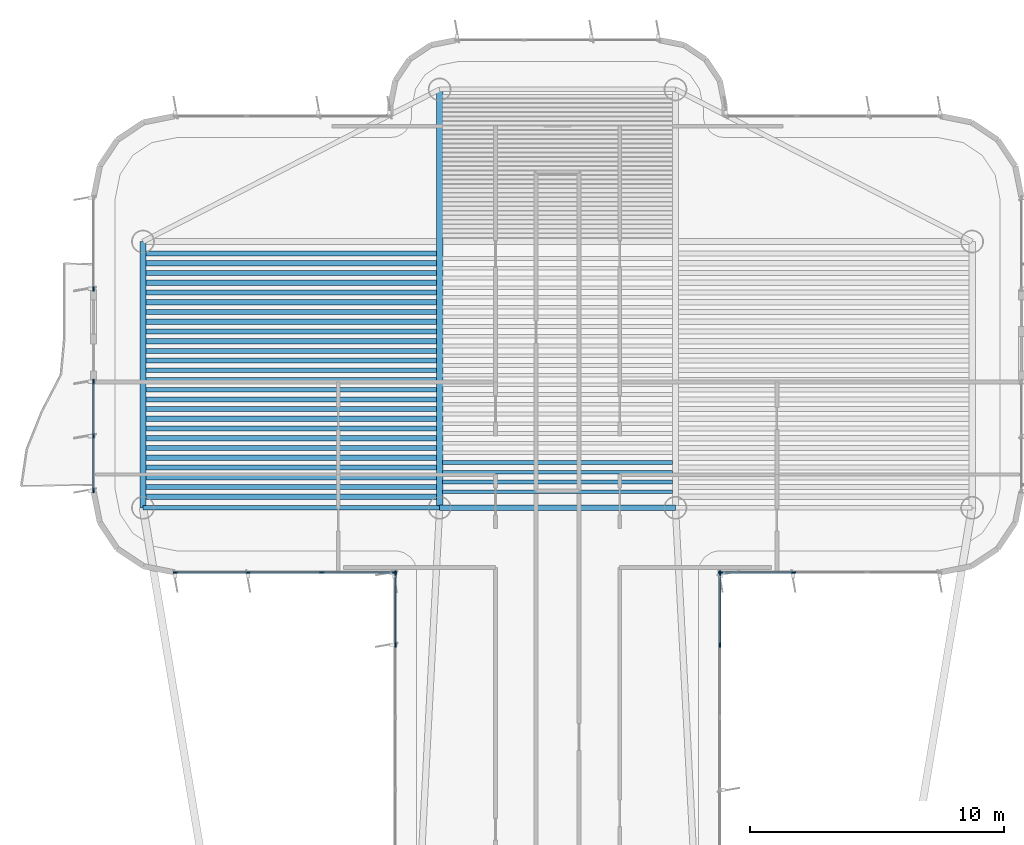
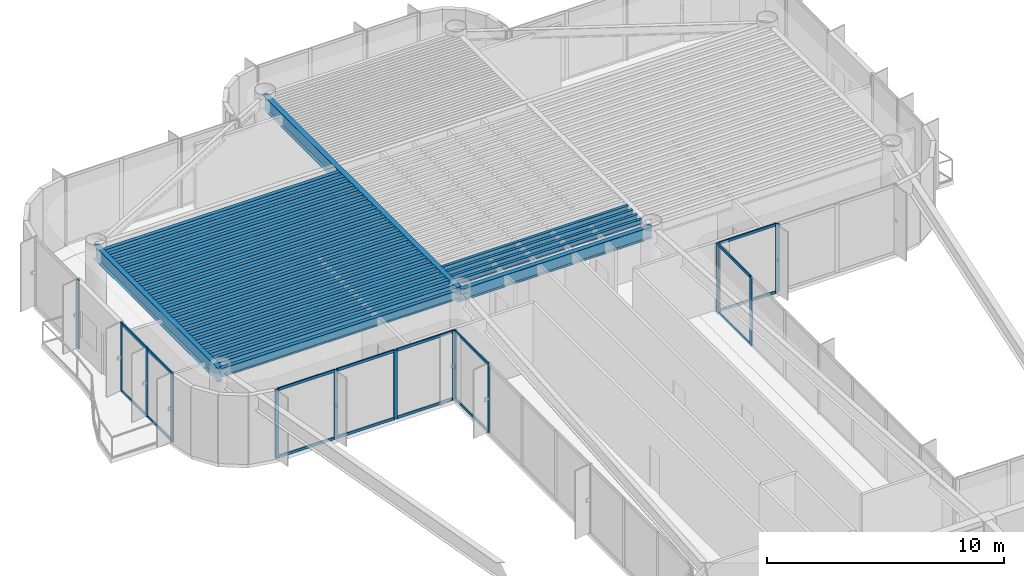
# One storey, part 5 of 15: 34 beams, 30 members, 6 elements without a shape of their own.
"""IFC4 building model written with IfcOpenShell, lengths in metres."""

from ifc_helpers import new_model, si_unit, direction, frame, origin, origin_2d, place, context, subcontext, project, spatial, rectangle, i_section, extrude, source, transform, mapped, material, layer, layer_set, material_profile, profile_set, type_object, element, aggregate, save


model = new_model("IFC4")

# Units and contexts
model_context = context("Model", 3, precision=1e-05, world=origin(), true_north=direction((0.0, 1.0)))
body_context = subcontext(model_context, "Body", "Model", "MODEL_VIEW")
ifc_project = project(units=[si_unit("LENGTHUNIT", "METRE"), si_unit("AREAUNIT", "SQUARE_METRE"), si_unit("VOLUMEUNIT", "CUBIC_METRE"), si_unit("PLANEANGLEUNIT", "RADIAN"), si_unit("MASSUNIT", "GRAM", prefix="KILO")], contexts=[model_context])

# Site, building, storey
site_placement = place(None, origin())
site = spatial("IfcSite", under=ifc_project, at=site_placement, CompositionType="ELEMENT")
building_placement = place(site_placement, origin())
building = spatial("IfcBuilding", under=site, at=building_placement, Name="Brelvock Crest Care Tower", CompositionType="ELEMENT")
storey_placement = place(building_placement, frame((0.0, 0.0, 245.699951171875)))
storey = spatial("IfcBuildingStorey", under=building, at=storey_placement, Name="L62", CompositionType="ELEMENT", Elevation=245.699951171875)

# Beams
ifc_material_1 = material(Name="Steel Grade 350", Category="steel")
ifc_material_profile_1 = material_profile(ifc_material_1, i_section(OverallWidth=0.25, OverallDepth=0.699951171875, WebThickness=0.011962890625, FlangeThickness=0.02001953125, at=origin_2d()), Name="700WB150")
ifc_profile_set_1 = profile_set([ifc_material_profile_1], Name="Steel Grade 350")
beam_type_1 = type_object("IfcBeamType", Name="BM-G4", PredefinedType="BEAM", material=ifc_profile_set_1)
shared_shape_1 = source(origin(), body_context, "Body", "SweptSolid", [
    extrude(i_section(OverallWidth=0.25, OverallDepth=0.699951171875, WebThickness=0.011962890625, FlangeThickness=0.02001953125, at=origin_2d()), origin(), (0.0, 0.0, 1.0), 10.5),
])
beam_1_placement = place(storey_placement, frame((19.64990234375, 43.949951171875, 3.179931640625), z_axis=(0.0, 1.0, 0.0), x_axis=(-1.0, 0.0, 0.0)))
element("IfcBeam", 1, at=beam_1_placement, inside=storey, type_object=beam_type_1, Name="BM-TWR-L62-01", PredefinedType="BEAM", context=body_context, shape_type="MappedRepresentation", body=[
    mapped(shared_shape_1, transform((0.0, 0.0, 0.0), x_axis=(1.0, 0.0, 0.0), y_axis=(0.0, 1.0, 0.0), z_axis=(0.0, 0.0, 1.0), scale=1.0)),
])
ifc_material_profile_2 = material_profile(ifc_material_1, i_section(OverallWidth=0.22900390625, OverallDepth=0.612060546875, WebThickness=0.011962890625, FlangeThickness=0.01953125, FilletRadius=0.013916015625, at=origin_2d()), Name="610UB125")
ifc_profile_set_2 = profile_set([ifc_material_profile_2], Name="Steel Grade 350")
beam_type_2 = type_object("IfcBeamType", Name="BM-G1", PredefinedType="BEAM", material=ifc_profile_set_2)
shared_shape_2 = source(origin(), body_context, "Body", "SweptSolid", [
    extrude(i_section(OverallWidth=0.22900390625, OverallDepth=0.612060546875, WebThickness=0.011962890625, FlangeThickness=0.01953125, FilletRadius=0.013916015625, at=origin_2d()), origin(), (0.0, 0.0, 1.0), 9.2998046875),
])
beam_2_placement = place(storey_placement, frame((31.35009765625, 43.949951171875, 3.22412109375), z_axis=(1.0, 0.0, 0.0), x_axis=(0.0, 1.0, 0.0)))
element("IfcBeam", 2, at=beam_2_placement, inside=storey, type_object=beam_type_2, Name="BM-TWR-L62-05", PredefinedType="BEAM", context=body_context, shape_type="MappedRepresentation", body=[
    mapped(shared_shape_2, transform((0.0, 0.0, 0.0), x_axis=(1.0, 0.0, 0.0), y_axis=(0.0, 1.0, 0.0), z_axis=(0.0, 0.0, 1.0), scale=1.0)),
])
ifc_material_profile_3 = material_profile(ifc_material_1, i_section(OverallWidth=0.14599609375, OverallDepth=0.256103515625, WebThickness=0.00634765625, FlangeThickness=0.010986328125, FilletRadius=0.0087890625, at=origin_2d()), Name="250UB37.3")
ifc_profile_set_3 = profile_set([ifc_material_profile_3], Name="Steel Grade 350")
beam_type_3 = type_object("IfcBeamType", Name="BM-J3", PredefinedType="JOIST", material=ifc_profile_set_3)
shared_shape_3 = source(origin(), body_context, "Body", "SweptSolid", [
    extrude(i_section(OverallWidth=0.14599609375, OverallDepth=0.256103515625, WebThickness=0.00634765625, FlangeThickness=0.010986328125, FilletRadius=0.0087890625, at=origin_2d()), origin(), (0.0, 0.0, 1.0), 9.06982421875),
])
for number, where, z_axis, x_axis, name in (
    (3, (31.465087890625, 44.58251953125, 3.402099609375), (1.0, 0.0, 0.0), (0.0, 1.0, 0.0), "BM-JH-L62-1"),
    (4, (31.465087890625, 44.9658203125, 3.402099609375), (1.0, 0.0, 0.0), (0.0, 1.0, 0.0), "BM-JH-L62-2"),
    (5, (31.465087890625, 45.34912109375, 3.402099609375), (1.0, 0.0, 0.0), (0.0, 1.0, 0.0), "BM-JH-L62-3"),
    (6, (31.465087890625, 45.732421875, 3.402099609375), (1.0, 0.0, 0.0), (0.0, 1.0, 0.0), "BM-JH-L62-4"),
):
    element("IfcBeam", number, at=place(storey_placement, frame(where, z_axis=z_axis, x_axis=x_axis)), inside=storey, type_object=beam_type_3, Name=name, PredefinedType="JOIST", context=body_context, shape_type="MappedRepresentation", body=[
        mapped(shared_shape_3, transform((0.0, 0.0, 0.0), x_axis=(1.0, 0.0, 0.0), y_axis=(0.0, 1.0, 0.0), z_axis=(0.0, 0.0, 1.0), scale=1.0)),
    ])
ifc_material_profile_4 = material_profile(ifc_material_1, i_section(OverallWidth=0.19091796875, OverallDepth=0.4599609375, WebThickness=0.010009765625, FlangeThickness=0.01611328125, FilletRadius=0.011474609375, at=origin_2d()), Name="460UB82.1")
ifc_profile_set_4 = profile_set([ifc_material_profile_4], Name="Steel Grade 350")
beam_type_4 = type_object("IfcBeamType", Name="BM-G3", PredefinedType="BEAM", material=ifc_profile_set_4)
shared_shape_4 = source(origin(), body_context, "Body", "SweptSolid", [
    extrude(i_section(OverallWidth=0.19091796875, OverallDepth=0.4599609375, WebThickness=0.010009765625, FlangeThickness=0.01611328125, FilletRadius=0.011474609375, at=origin_2d()), origin(), (0.0, 0.0, 1.0), 11.47021484375),
])
for number, where, z_axis, x_axis, name in (
    (7, (19.764892578125, 44.7744140625, 3.300048828125), (1.0, 0.0, 0.0), (0.0, 1.0, 0.0), "BM-JW-L62-2"),
    (8, (19.764892578125, 45.540771484375, 3.300048828125), (1.0, 0.0, 0.0), (0.0, 1.0, 0.0), "BM-JW-L62-4"),
    (9, (19.764892578125, 46.307373046875, 3.300048828125), (1.0, 0.0, 0.0), (0.0, 1.0, 0.0), "BM-JW-L62-6"),
    (10, (19.764892578125, 47.07373046875, 3.300048828125), (1.0, 0.0, 0.0), (0.0, 1.0, 0.0), "BM-JW-L62-8"),
    (11, (19.764892578125, 47.84033203125, 3.300048828125), (1.0, 0.0, 0.0), (0.0, 1.0, 0.0), "BM-JW-L62-10"),
    (12, (19.764892578125, 48.606689453125, 3.300048828125), (1.0, 0.0, 0.0), (0.0, 1.0, 0.0), "BM-JW-L62-12"),
    (13, (19.764892578125, 49.373291015625, 3.300048828125), (1.0, 0.0, 0.0), (0.0, 1.0, 0.0), "BM-JW-L62-14"),
    (14, (19.764892578125, 50.139892578125, 3.300048828125), (1.0, 0.0, 0.0), (0.0, 1.0, 0.0), "BM-JW-L62-16"),
    (15, (19.764892578125, 50.90625, 3.300048828125), (1.0, 0.0, 0.0), (0.0, 1.0, 0.0), "BM-JW-L62-18"),
    (16, (19.764892578125, 51.6728515625, 3.300048828125), (1.0, 0.0, 0.0), (0.0, 1.0, 0.0), "BM-JW-L62-20"),
    (17, (19.764892578125, 52.439208984375, 3.300048828125), (1.0, 0.0, 0.0), (0.0, 1.0, 0.0), "BM-JW-L62-22"),
    (18, (19.764892578125, 53.205810546875, 3.300048828125), (1.0, 0.0, 0.0), (0.0, 1.0, 0.0), "BM-JW-L62-24"),
    (19, (19.764892578125, 53.972412109375, 3.300048828125), (1.0, 0.0, 0.0), (0.0, 1.0, 0.0), "BM-JW-L62-26"),
):
    element("IfcBeam", number, at=place(storey_placement, frame(where, z_axis=z_axis, x_axis=x_axis)), inside=storey, type_object=beam_type_4, Name=name, PredefinedType="BEAM", context=body_context, shape_type="MappedRepresentation", body=[
        mapped(shared_shape_4, transform((0.0, 0.0, 0.0), x_axis=(1.0, 0.0, 0.0), y_axis=(0.0, 1.0, 0.0), z_axis=(0.0, 0.0, 1.0), scale=1.0)),
    ])
ifc_material_profile_5 = material_profile(ifc_material_1, i_section(OverallWidth=0.208984375, OverallDepth=0.532958984375, WebThickness=0.01025390625, FlangeThickness=0.015625, FilletRadius=0.013916015625, at=origin_2d()), Name="530UB92.4")
ifc_profile_set_5 = profile_set([ifc_material_profile_5], Name="Steel Grade 350")
beam_type_5 = type_object("IfcBeamType", Name="BM-G2", PredefinedType="BEAM", material=ifc_profile_set_5)
shared_shape_5 = source(origin(), body_context, "Body", "SweptSolid", [
    extrude(i_section(OverallWidth=0.208984375, OverallDepth=0.532958984375, WebThickness=0.01025390625, FlangeThickness=0.015625, FilletRadius=0.013916015625, at=origin_2d()), origin(), (0.0, 0.0, 1.0), 11.47021484375),
])
for number, where, z_axis, x_axis, name in (
    (20, (19.764892578125, 44.39111328125, 3.263427734375), (1.0, 0.0, 0.0), (0.0, 1.0, 0.0), "BM-JW-L62-1"),
    (21, (19.764892578125, 45.157470703125, 3.263427734375), (1.0, 0.0, 0.0), (0.0, 1.0, 0.0), "BM-JW-L62-3"),
    (22, (19.764892578125, 45.924072265625, 3.263427734375), (1.0, 0.0, 0.0), (0.0, 1.0, 0.0), "BM-JW-L62-5"),
    (23, (19.764892578125, 46.6904296875, 3.263427734375), (1.0, 0.0, 0.0), (0.0, 1.0, 0.0), "BM-JW-L62-7"),
    (24, (19.764892578125, 47.45703125, 3.263427734375), (1.0, 0.0, 0.0), (0.0, 1.0, 0.0), "BM-JW-L62-9"),
    (25, (19.764892578125, 48.223388671875, 3.263427734375), (1.0, 0.0, 0.0), (0.0, 1.0, 0.0), "BM-JW-L62-11"),
    (26, (19.764892578125, 48.989990234375, 3.263427734375), (1.0, 0.0, 0.0), (0.0, 1.0, 0.0), "BM-JW-L62-13"),
    (27, (19.764892578125, 49.756591796875, 3.263427734375), (1.0, 0.0, 0.0), (0.0, 1.0, 0.0), "BM-JW-L62-15"),
    (28, (19.764892578125, 50.52294921875, 3.263427734375), (1.0, 0.0, 0.0), (0.0, 1.0, 0.0), "BM-JW-L62-17"),
    (29, (19.764892578125, 51.28955078125, 3.263427734375), (1.0, 0.0, 0.0), (0.0, 1.0, 0.0), "BM-JW-L62-19"),
    (30, (19.764892578125, 52.055908203125, 3.263427734375), (1.0, 0.0, 0.0), (0.0, 1.0, 0.0), "BM-JW-L62-21"),
    (31, (19.764892578125, 52.822509765625, 3.263427734375), (1.0, 0.0, 0.0), (0.0, 1.0, 0.0), "BM-JW-L62-23"),
    (32, (19.764892578125, 53.589111328125, 3.263427734375), (1.0, 0.0, 0.0), (0.0, 1.0, 0.0), "BM-JW-L62-25"),
):
    element("IfcBeam", number, at=place(storey_placement, frame(where, z_axis=z_axis, x_axis=x_axis)), inside=storey, type_object=beam_type_5, Name=name, PredefinedType="BEAM", context=body_context, shape_type="MappedRepresentation", body=[
        mapped(shared_shape_5, transform((0.0, 0.0, 0.0), x_axis=(1.0, 0.0, 0.0), y_axis=(0.0, 1.0, 0.0), z_axis=(0.0, 0.0, 1.0), scale=1.0)),
    ])
ifc_material_profile_6 = material_profile(ifc_material_1, i_section(OverallWidth=0.19091796875, OverallDepth=0.4599609375, WebThickness=0.010009765625, FlangeThickness=0.01611328125, FilletRadius=0.011474609375, at=origin_2d()), Name="460UB82.1")
ifc_profile_set_6 = profile_set([ifc_material_profile_6], Name="Steel Grade 350")
beam_type_6 = type_object("IfcBeamType", Name="BM-SP2", PredefinedType="SPANDREL", material=ifc_profile_set_6)
shared_shape_6 = source(origin(), body_context, "Body", "SweptSolid", [
    extrude(i_section(OverallWidth=0.19091796875, OverallDepth=0.4599609375, WebThickness=0.010009765625, FlangeThickness=0.01611328125, FilletRadius=0.011474609375, at=origin_2d()), origin(), (0.0, 0.0, 1.0), 11.7001953125),
])
beam_3_placement = place(storey_placement, frame((19.64990234375, 43.949951171875, 3.300048828125), z_axis=(1.0, 0.0, 0.0), x_axis=(0.0, 1.0, 0.0)))
element("IfcBeam", 33, at=beam_3_placement, inside=storey, type_object=beam_type_6, Name="BM-TWR-L62-03", PredefinedType="SPANDREL", context=body_context, shape_type="MappedRepresentation", body=[
    mapped(shared_shape_6, transform((0.0, 0.0, 0.0), x_axis=(1.0, 0.0, 0.0), y_axis=(0.0, 1.0, 0.0), z_axis=(0.0, 0.0, 1.0), scale=1.0)),
])
shared_shape_7 = source(origin(), body_context, "Body", "SweptSolid", [
    extrude(i_section(OverallWidth=0.25, OverallDepth=0.699951171875, WebThickness=0.011962890625, FlangeThickness=0.02001953125, at=origin_2d()), origin(), (0.0, 0.0, 1.0), 16.5),
])
beam_4_placement = place(storey_placement, frame((31.35009765625, 43.949951171875, 3.179931640625), z_axis=(0.0, 1.0, 0.0), x_axis=(-1.0, 0.0, 0.0)))
element("IfcBeam", 34, at=beam_4_placement, inside=storey, type_object=beam_type_1, Name="BM-TWR-L62-09", PredefinedType="BEAM", context=body_context, shape_type="MappedRepresentation", body=[
    mapped(shared_shape_7, transform((0.0, 0.0, 0.0), x_axis=(1.0, 0.0, 0.0), y_axis=(0.0, 1.0, 0.0), z_axis=(0.0, 0.0, 1.0), scale=1.0)),
])

# Curtain wall, members
ifc_material_2 = material(Name="Dark Glass Double Glazed Low-E", Category="glass")
ifc_layer = layer(ifc_material_2, 0.239990234375, Name="CWS-5")
ifc_layer_set = layer_set([ifc_layer], Name="Dark Glass Double Glazed Low-E")
curtain_wall_type = type_object("IfcCurtainWallType", Name="CWS-5", PredefinedType="NOTDEFINED", material=ifc_layer_set)
curtain_wall_1_placement = place(storey_placement, origin())
curtain_wall_1 = element("IfcCurtainWall", 35, at=curtain_wall_1_placement, inside=storey, type_object=curtain_wall_type, Name="L62 Curtain Wall E11", PredefinedType="NOTDEFINED")
ifc_material_3 = material(Name="Aluminium 6063-T6", Category="aluminium")
ifc_material_profile_7 = material_profile(ifc_material_3, rectangle(XDim=0.06005859375, YDim=0.179931640625, at=origin_2d()), Name="ALU60x180")
ifc_profile_set_7 = profile_set([ifc_material_profile_7], Name="Aluminium 6063-T6")
member_type_1 = type_object("IfcMemberType", Name="CWM-2", PredefinedType="MULLION", material=ifc_profile_set_7)
shared_shape_8 = source(origin(), body_context, "Body", "SweptSolid", [
    extrude(rectangle(XDim=0.06005859375, YDim=0.179931640625, at=origin_2d()), origin(), (0.0, 0.0, 1.0), 3.530029296875),
])
member_1_placement = place(storey_placement, frame((29.60009765625, 38.54296875, 0.0), z_axis=(0.0, 0.0, 1.0), x_axis=(-1.0, 0.0, 0.0)))
member_1 = element("IfcMember", 36, at=member_1_placement, type_object=member_type_1, Name="CW-5 mullion 7", PredefinedType="MULLION", context=body_context, shape_type="MappedRepresentation", body=[
    mapped(shared_shape_8, transform((0.0, 0.0, 0.0), x_axis=(1.0, 0.0, 0.0), y_axis=(0.0, 1.0, 0.0), z_axis=(0.0, 0.0, 1.0), scale=1.0)),
])
member_2_placement = place(storey_placement, frame((29.60009765625, 41.3701171875, 0.0), z_axis=(0.0, 0.0, 1.0), x_axis=(-1.0, 0.0, 0.0)))
member_2 = element("IfcMember", 37, at=member_2_placement, type_object=member_type_1, Name="CW-5 mullion 8", PredefinedType="MULLION", context=body_context, shape_type="MappedRepresentation", body=[
    mapped(shared_shape_8, transform((0.0, 0.0, 0.0), x_axis=(1.0, 0.0, 0.0), y_axis=(0.0, 1.0, 0.0), z_axis=(0.0, 0.0, 1.0), scale=1.0)),
])

curtain_wall_2_placement = place(storey_placement, origin())
curtain_wall_2 = element("IfcCurtainWall", 38, at=curtain_wall_2_placement, inside=storey, type_object=curtain_wall_type, Name="L62 Curtain Wall E12", PredefinedType="NOTDEFINED")
member_3_placement = place(storey_placement, frame((29.570068359375, 41.39990234375, 0.0), z_axis=(0.0, 0.0, 1.0), x_axis=(0.0, -1.0, 0.0)))
member_3 = element("IfcMember", 39, at=member_3_placement, type_object=member_type_1, Name="CW-5 mullion 1", PredefinedType="MULLION", context=body_context, shape_type="MappedRepresentation", body=[
    mapped(shared_shape_8, transform((0.0, 0.0, 0.0), x_axis=(1.0, 0.0, 0.0), y_axis=(0.0, 1.0, 0.0), z_axis=(0.0, 0.0, 1.0), scale=1.0)),
])
member_4_placement = place(storey_placement, frame((26.699951171875, 41.39990234375, 0.0), z_axis=(0.0, 0.0, 1.0), x_axis=(0.0, -1.0, 0.0)))
member_4 = element("IfcMember", 40, at=member_4_placement, type_object=member_type_1, Name="CW-5 mullion 2", PredefinedType="MULLION", context=body_context, shape_type="MappedRepresentation", body=[
    mapped(shared_shape_8, transform((0.0, 0.0, 0.0), x_axis=(1.0, 0.0, 0.0), y_axis=(0.0, 1.0, 0.0), z_axis=(0.0, 0.0, 1.0), scale=1.0)),
])
member_5_placement = place(storey_placement, frame((23.800048828125, 41.39990234375, 0.0), z_axis=(0.0, 0.0, 1.0), x_axis=(0.0, -1.0, 0.0)))
member_5 = element("IfcMember", 41, at=member_5_placement, type_object=member_type_1, Name="CW-5 mullion 3", PredefinedType="MULLION", context=body_context, shape_type="MappedRepresentation", body=[
    mapped(shared_shape_8, transform((0.0, 0.0, 0.0), x_axis=(1.0, 0.0, 0.0), y_axis=(0.0, 1.0, 0.0), z_axis=(0.0, 0.0, 1.0), scale=1.0)),
])
member_6_placement = place(storey_placement, frame((20.929931640625, 41.39990234375, 0.0), z_axis=(0.0, 0.0, 1.0), x_axis=(0.0, -1.0, 0.0)))
member_6 = element("IfcMember", 42, at=member_6_placement, type_object=member_type_1, Name="CW-5 mullion 4", PredefinedType="MULLION", context=body_context, shape_type="MappedRepresentation", body=[
    mapped(shared_shape_8, transform((0.0, 0.0, 0.0), x_axis=(1.0, 0.0, 0.0), y_axis=(0.0, 1.0, 0.0), z_axis=(0.0, 0.0, 1.0), scale=1.0)),
])

curtain_wall_3_placement = place(storey_placement, origin())
curtain_wall_3 = element("IfcCurtainWall", 43, at=curtain_wall_3_placement, inside=storey, type_object=curtain_wall_type, Name="L62 Curtain Wall E17A", PredefinedType="NOTDEFINED")
member_7_placement = place(storey_placement, frame((17.699951171875, 44.6298828125, 0.0), z_axis=(0.0, 0.0, 1.0), x_axis=(-1.0, 0.0, 0.0)))
member_7 = element("IfcMember", 44, at=member_7_placement, type_object=member_type_1, Name="CW-5 mullion 1", PredefinedType="MULLION", context=body_context, shape_type="MappedRepresentation", body=[
    mapped(shared_shape_8, transform((0.0, 0.0, 0.0), x_axis=(1.0, 0.0, 0.0), y_axis=(0.0, 1.0, 0.0), z_axis=(0.0, 0.0, 1.0), scale=1.0)),
])
member_8_placement = place(storey_placement, frame((17.699951171875, 46.77490234375, 0.0), z_axis=(0.0, 0.0, 1.0), x_axis=(-1.0, 0.0, 0.0)))
member_8 = element("IfcMember", 45, at=member_8_placement, type_object=member_type_1, Name="CW-5 mullion 2", PredefinedType="MULLION", context=body_context, shape_type="MappedRepresentation", body=[
    mapped(shared_shape_8, transform((0.0, 0.0, 0.0), x_axis=(1.0, 0.0, 0.0), y_axis=(0.0, 1.0, 0.0), z_axis=(0.0, 0.0, 1.0), scale=1.0)),
])
member_9_placement = place(storey_placement, frame((17.699951171875, 48.919921875, 0.0), z_axis=(0.0, 0.0, 1.0), x_axis=(-1.0, 0.0, 0.0)))
member_9 = element("IfcMember", 46, at=member_9_placement, type_object=member_type_1, Name="CW-5 mullion 3", PredefinedType="MULLION", context=body_context, shape_type="MappedRepresentation", body=[
    mapped(shared_shape_8, transform((0.0, 0.0, 0.0), x_axis=(1.0, 0.0, 0.0), y_axis=(0.0, 1.0, 0.0), z_axis=(0.0, 0.0, 1.0), scale=1.0)),
])

# Curtain wall, member
curtain_wall_4_placement = place(storey_placement, origin())
curtain_wall_4 = element("IfcCurtainWall", 47, at=curtain_wall_4_placement, inside=storey, type_object=curtain_wall_type, Name="L62 Curtain Wall E17B", PredefinedType="NOTDEFINED")
member_10_placement = place(storey_placement, frame((17.699951171875, 52.580078125, 0.0), z_axis=(0.0, 0.0, 1.0), x_axis=(-1.0, 0.0, 0.0)))
member_10 = element("IfcMember", 48, at=member_10_placement, type_object=member_type_1, Name="CW-5 mullion 1", PredefinedType="MULLION", context=body_context, shape_type="MappedRepresentation", body=[
    mapped(shared_shape_8, transform((0.0, 0.0, 0.0), x_axis=(1.0, 0.0, 0.0), y_axis=(0.0, 1.0, 0.0), z_axis=(0.0, 0.0, 1.0), scale=1.0)),
])
aggregate(curtain_wall_4, [member_10])

# Curtain wall, members
curtain_wall_5_placement = place(storey_placement, origin())
curtain_wall_5 = element("IfcCurtainWall", 49, at=curtain_wall_5_placement, inside=storey, type_object=curtain_wall_type, Name="L62 Curtain Wall E44", PredefinedType="NOTDEFINED")
member_11_placement = place(storey_placement, frame((45.300048828125, 41.39990234375, 0.0), z_axis=(0.0, 0.0, 1.0), x_axis=(0.0, -1.0, 0.0)))
member_11 = element("IfcMember", 50, at=member_11_placement, type_object=member_type_1, Name="CW-5 mullion 3", PredefinedType="MULLION", context=body_context, shape_type="MappedRepresentation", body=[
    mapped(shared_shape_8, transform((0.0, 0.0, 0.0), x_axis=(1.0, 0.0, 0.0), y_axis=(0.0, 1.0, 0.0), z_axis=(0.0, 0.0, 1.0), scale=1.0)),
])
member_12_placement = place(storey_placement, frame((42.429931640625, 41.39990234375, 0.0), z_axis=(0.0, 0.0, 1.0), x_axis=(0.0, -1.0, 0.0)))
member_12 = element("IfcMember", 51, at=member_12_placement, type_object=member_type_1, Name="CW-5 mullion 4", PredefinedType="MULLION", context=body_context, shape_type="MappedRepresentation", body=[
    mapped(shared_shape_8, transform((0.0, 0.0, 0.0), x_axis=(1.0, 0.0, 0.0), y_axis=(0.0, 1.0, 0.0), z_axis=(0.0, 0.0, 1.0), scale=1.0)),
])

curtain_wall_6_placement = place(storey_placement, origin())
curtain_wall_6 = element("IfcCurtainWall", 52, at=curtain_wall_6_placement, inside=storey, type_object=curtain_wall_type, Name="L62 Curtain Wall E45", PredefinedType="NOTDEFINED")
member_13_placement = place(storey_placement, frame((42.39990234375, 41.3701171875, 0.0), z_axis=(0.0, 0.0, 1.0), x_axis=(1.0, 0.0, 0.0)))
member_13 = element("IfcMember", 53, at=member_13_placement, type_object=member_type_1, Name="CW-5 mullion 1", PredefinedType="MULLION", context=body_context, shape_type="MappedRepresentation", body=[
    mapped(shared_shape_8, transform((0.0, 0.0, 0.0), x_axis=(1.0, 0.0, 0.0), y_axis=(0.0, 1.0, 0.0), z_axis=(0.0, 0.0, 1.0), scale=1.0)),
])
member_14_placement = place(storey_placement, frame((42.39990234375, 38.54296875, 0.0), z_axis=(0.0, 0.0, 1.0), x_axis=(1.0, 0.0, 0.0)))
member_14 = element("IfcMember", 54, at=member_14_placement, type_object=member_type_1, Name="CW-5 mullion 2", PredefinedType="MULLION", context=body_context, shape_type="MappedRepresentation", body=[
    mapped(shared_shape_8, transform((0.0, 0.0, 0.0), x_axis=(1.0, 0.0, 0.0), y_axis=(0.0, 1.0, 0.0), z_axis=(0.0, 0.0, 1.0), scale=1.0)),
])

# Member
ifc_material_profile_8 = material_profile(ifc_material_3, rectangle(XDim=0.06005859375, YDim=0.139892578125, at=origin_2d()), Name="ALU60x140")
ifc_profile_set_8 = profile_set([ifc_material_profile_8], Name="Aluminium 6063-T6")
member_type_2 = type_object("IfcMemberType", Name="CWT-2", PredefinedType="USERDEFINED", material=ifc_profile_set_8)
shared_shape_9 = source(origin(), body_context, "Body", "SweptSolid", [
    extrude(rectangle(XDim=0.06005859375, YDim=0.139892578125, at=origin_2d()), origin(), (0.0, 0.0, 1.0), 2.767333984375),
])
member_15_placement = place(storey_placement, frame((29.60009765625, 38.57275390625, 0.030029296875), z_axis=(0.0, 1.0, 0.0), x_axis=(-1.0, 0.0, 0.0)))
member_15 = element("IfcMember", 55, at=member_15_placement, type_object=member_type_2, Name="CW-5 transom 7.1", ObjectType="TRANSOM", PredefinedType="USERDEFINED", context=body_context, shape_type="MappedRepresentation", body=[
    mapped(shared_shape_9, transform((0.0, 0.0, 0.0), x_axis=(1.0, 0.0, 0.0), y_axis=(0.0, 1.0, 0.0), z_axis=(0.0, 0.0, 1.0), scale=1.0)),
])

member_16_placement = place(storey_placement, frame((29.60009765625, 38.57275390625, 3.5), z_axis=(0.0, 1.0, 0.0), x_axis=(-1.0, 0.0, 0.0)))
member_16 = element("IfcMember", 56, at=member_16_placement, type_object=member_type_2, Name="CW-5 transom 7.2", ObjectType="TRANSOM", PredefinedType="USERDEFINED", context=body_context, shape_type="MappedRepresentation", body=[
    mapped(shared_shape_9, transform((0.0, 0.0, 0.0), x_axis=(1.0, 0.0, 0.0), y_axis=(0.0, 1.0, 0.0), z_axis=(0.0, 0.0, 1.0), scale=1.0)),
])

aggregate(curtain_wall_1, [member_1, member_2, member_15, member_16])

member_17_placement = place(storey_placement, frame((42.39990234375, 41.340087890625, 0.030029296875), z_axis=(0.0, -1.0, 0.0), x_axis=(1.0, 0.0, 0.0)))
member_17 = element("IfcMember", 57, at=member_17_placement, type_object=member_type_2, Name="CW-5 transom 1.1", ObjectType="TRANSOM", PredefinedType="USERDEFINED", context=body_context, shape_type="MappedRepresentation", body=[
    mapped(shared_shape_9, transform((0.0, 0.0, 0.0), x_axis=(1.0, 0.0, 0.0), y_axis=(0.0, 1.0, 0.0), z_axis=(0.0, 0.0, 1.0), scale=1.0)),
])

member_18_placement = place(storey_placement, frame((42.39990234375, 41.340087890625, 3.5), z_axis=(0.0, -1.0, 0.0), x_axis=(1.0, 0.0, 0.0)))
member_18 = element("IfcMember", 58, at=member_18_placement, type_object=member_type_2, Name="CW-5 transom 1.2", ObjectType="TRANSOM", PredefinedType="USERDEFINED", context=body_context, shape_type="MappedRepresentation", body=[
    mapped(shared_shape_9, transform((0.0, 0.0, 0.0), x_axis=(1.0, 0.0, 0.0), y_axis=(0.0, 1.0, 0.0), z_axis=(0.0, 0.0, 1.0), scale=1.0)),
])

aggregate(curtain_wall_6, [member_13, member_14, member_17, member_18])

shared_shape_10 = source(origin(), body_context, "Body", "SweptSolid", [
    extrude(rectangle(XDim=0.06005859375, YDim=0.139892578125, at=origin_2d()), origin(), (0.0, 0.0, 1.0), 2.81005859375),
])
member_19_placement = place(storey_placement, frame((29.5400390625, 41.39990234375, 0.030029296875), z_axis=(-1.0, 0.0, 0.0), x_axis=(0.0, -1.0, 0.0)))
member_19 = element("IfcMember", 59, at=member_19_placement, type_object=member_type_2, Name="CW-5 transom 1.1", ObjectType="TRANSOM", PredefinedType="USERDEFINED", context=body_context, shape_type="MappedRepresentation", body=[
    mapped(shared_shape_10, transform((0.0, 0.0, 0.0), x_axis=(1.0, 0.0, 0.0), y_axis=(0.0, 1.0, 0.0), z_axis=(0.0, 0.0, 1.0), scale=1.0)),
])

member_20_placement = place(storey_placement, frame((29.5400390625, 41.39990234375, 3.5), z_axis=(-1.0, 0.0, 0.0), x_axis=(0.0, -1.0, 0.0)))
member_20 = element("IfcMember", 60, at=member_20_placement, type_object=member_type_2, Name="CW-5 transom 1.2", ObjectType="TRANSOM", PredefinedType="USERDEFINED", context=body_context, shape_type="MappedRepresentation", body=[
    mapped(shared_shape_10, transform((0.0, 0.0, 0.0), x_axis=(1.0, 0.0, 0.0), y_axis=(0.0, 1.0, 0.0), z_axis=(0.0, 0.0, 1.0), scale=1.0)),
])

member_21_placement = place(storey_placement, frame((23.77001953125, 41.39990234375, 0.030029296875), z_axis=(-1.0, 0.0, 0.0), x_axis=(0.0, -1.0, 0.0)))
member_21 = element("IfcMember", 61, at=member_21_placement, type_object=member_type_2, Name="CW-5 transom 3.1", ObjectType="TRANSOM", PredefinedType="USERDEFINED", context=body_context, shape_type="MappedRepresentation", body=[
    mapped(shared_shape_10, transform((0.0, 0.0, 0.0), x_axis=(1.0, 0.0, 0.0), y_axis=(0.0, 1.0, 0.0), z_axis=(0.0, 0.0, 1.0), scale=1.0)),
])

member_22_placement = place(storey_placement, frame((23.77001953125, 41.39990234375, 3.5), z_axis=(-1.0, 0.0, 0.0), x_axis=(0.0, -1.0, 0.0)))
member_22 = element("IfcMember", 62, at=member_22_placement, type_object=member_type_2, Name="CW-5 transom 3.2", ObjectType="TRANSOM", PredefinedType="USERDEFINED", context=body_context, shape_type="MappedRepresentation", body=[
    mapped(shared_shape_10, transform((0.0, 0.0, 0.0), x_axis=(1.0, 0.0, 0.0), y_axis=(0.0, 1.0, 0.0), z_axis=(0.0, 0.0, 1.0), scale=1.0)),
])

member_23_placement = place(storey_placement, frame((45.27001953125, 41.39990234375, 0.030029296875), z_axis=(-1.0, 0.0, 0.0), x_axis=(0.0, -1.0, 0.0)))
member_23 = element("IfcMember", 63, at=member_23_placement, type_object=member_type_2, Name="CW-5 transom 3.1", ObjectType="TRANSOM", PredefinedType="USERDEFINED", context=body_context, shape_type="MappedRepresentation", body=[
    mapped(shared_shape_10, transform((0.0, 0.0, 0.0), x_axis=(1.0, 0.0, 0.0), y_axis=(0.0, 1.0, 0.0), z_axis=(0.0, 0.0, 1.0), scale=1.0)),
])

member_24_placement = place(storey_placement, frame((45.27001953125, 41.39990234375, 3.5), z_axis=(-1.0, 0.0, 0.0), x_axis=(0.0, -1.0, 0.0)))
member_24 = element("IfcMember", 64, at=member_24_placement, type_object=member_type_2, Name="CW-5 transom 3.2", ObjectType="TRANSOM", PredefinedType="USERDEFINED", context=body_context, shape_type="MappedRepresentation", body=[
    mapped(shared_shape_10, transform((0.0, 0.0, 0.0), x_axis=(1.0, 0.0, 0.0), y_axis=(0.0, 1.0, 0.0), z_axis=(0.0, 0.0, 1.0), scale=1.0)),
])

aggregate(curtain_wall_5, [member_11, member_12, member_23, member_24])

shared_shape_11 = source(origin(), body_context, "Body", "SweptSolid", [
    extrude(rectangle(XDim=0.06005859375, YDim=0.139892578125, at=origin_2d()), origin(), (0.0, 0.0, 1.0), 2.83984375),
])
member_25_placement = place(storey_placement, frame((26.669921875, 41.39990234375, 0.030029296875), z_axis=(-1.0, 0.0, 0.0), x_axis=(0.0, -1.0, 0.0)))
member_25 = element("IfcMember", 65, at=member_25_placement, type_object=member_type_2, Name="CW-5 transom 2.1", ObjectType="TRANSOM", PredefinedType="USERDEFINED", context=body_context, shape_type="MappedRepresentation", body=[
    mapped(shared_shape_11, transform((0.0, 0.0, 0.0), x_axis=(1.0, 0.0, 0.0), y_axis=(0.0, 1.0, 0.0), z_axis=(0.0, 0.0, 1.0), scale=1.0)),
])

member_26_placement = place(storey_placement, frame((26.669921875, 41.39990234375, 3.5), z_axis=(-1.0, 0.0, 0.0), x_axis=(0.0, -1.0, 0.0)))
member_26 = element("IfcMember", 66, at=member_26_placement, type_object=member_type_2, Name="CW-5 transom 2.2", ObjectType="TRANSOM", PredefinedType="USERDEFINED", context=body_context, shape_type="MappedRepresentation", body=[
    mapped(shared_shape_11, transform((0.0, 0.0, 0.0), x_axis=(1.0, 0.0, 0.0), y_axis=(0.0, 1.0, 0.0), z_axis=(0.0, 0.0, 1.0), scale=1.0)),
])

aggregate(curtain_wall_2, [member_3, member_4, member_5, member_6, member_19, member_20, member_25, member_26, member_21, member_22])

shared_shape_12 = source(origin(), body_context, "Body", "SweptSolid", [
    extrude(rectangle(XDim=0.06005859375, YDim=0.139892578125, at=origin_2d()), origin(), (0.0, 0.0, 1.0), 2.085205078125),
])
member_27_placement = place(storey_placement, frame((17.699951171875, 44.659912109375, 0.030029296875), z_axis=(0.0, 1.0, 0.0), x_axis=(-1.0, 0.0, 0.0)))
member_27 = element("IfcMember", 67, at=member_27_placement, type_object=member_type_2, Name="CW-5 transom 1.1", ObjectType="TRANSOM", PredefinedType="USERDEFINED", context=body_context, shape_type="MappedRepresentation", body=[
    mapped(shared_shape_12, transform((0.0, 0.0, 0.0), x_axis=(1.0, 0.0, 0.0), y_axis=(0.0, 1.0, 0.0), z_axis=(0.0, 0.0, 1.0), scale=1.0)),
])

member_28_placement = place(storey_placement, frame((17.699951171875, 44.659912109375, 3.5), z_axis=(0.0, 1.0, 0.0), x_axis=(-1.0, 0.0, 0.0)))
member_28 = element("IfcMember", 68, at=member_28_placement, type_object=member_type_2, Name="CW-5 transom 1.2", ObjectType="TRANSOM", PredefinedType="USERDEFINED", context=body_context, shape_type="MappedRepresentation", body=[
    mapped(shared_shape_12, transform((0.0, 0.0, 0.0), x_axis=(1.0, 0.0, 0.0), y_axis=(0.0, 1.0, 0.0), z_axis=(0.0, 0.0, 1.0), scale=1.0)),
])

shared_shape_13 = source(origin(), body_context, "Body", "SweptSolid", [
    extrude(rectangle(XDim=0.06005859375, YDim=0.139892578125, at=origin_2d()), origin(), (0.0, 0.0, 1.0), 2.0849609375),
])
member_29_placement = place(storey_placement, frame((17.699951171875, 46.804931640625, 0.030029296875), z_axis=(0.0, 1.0, 0.0), x_axis=(-1.0, 0.0, 0.0)))
member_29 = element("IfcMember", 69, at=member_29_placement, type_object=member_type_2, Name="CW-5 transom 2.1", ObjectType="TRANSOM", PredefinedType="USERDEFINED", context=body_context, shape_type="MappedRepresentation", body=[
    mapped(shared_shape_13, transform((0.0, 0.0, 0.0), x_axis=(1.0, 0.0, 0.0), y_axis=(0.0, 1.0, 0.0), z_axis=(0.0, 0.0, 1.0), scale=1.0)),
])

member_30_placement = place(storey_placement, frame((17.699951171875, 46.804931640625, 3.5), z_axis=(0.0, 1.0, 0.0), x_axis=(-1.0, 0.0, 0.0)))
member_30 = element("IfcMember", 70, at=member_30_placement, type_object=member_type_2, Name="CW-5 transom 2.2", ObjectType="TRANSOM", PredefinedType="USERDEFINED", context=body_context, shape_type="MappedRepresentation", body=[
    mapped(shared_shape_13, transform((0.0, 0.0, 0.0), x_axis=(1.0, 0.0, 0.0), y_axis=(0.0, 1.0, 0.0), z_axis=(0.0, 0.0, 1.0), scale=1.0)),
])

aggregate(curtain_wall_3, [member_7, member_8, member_9, member_27, member_28, member_29, member_30])

save(model, "model.ifc")
